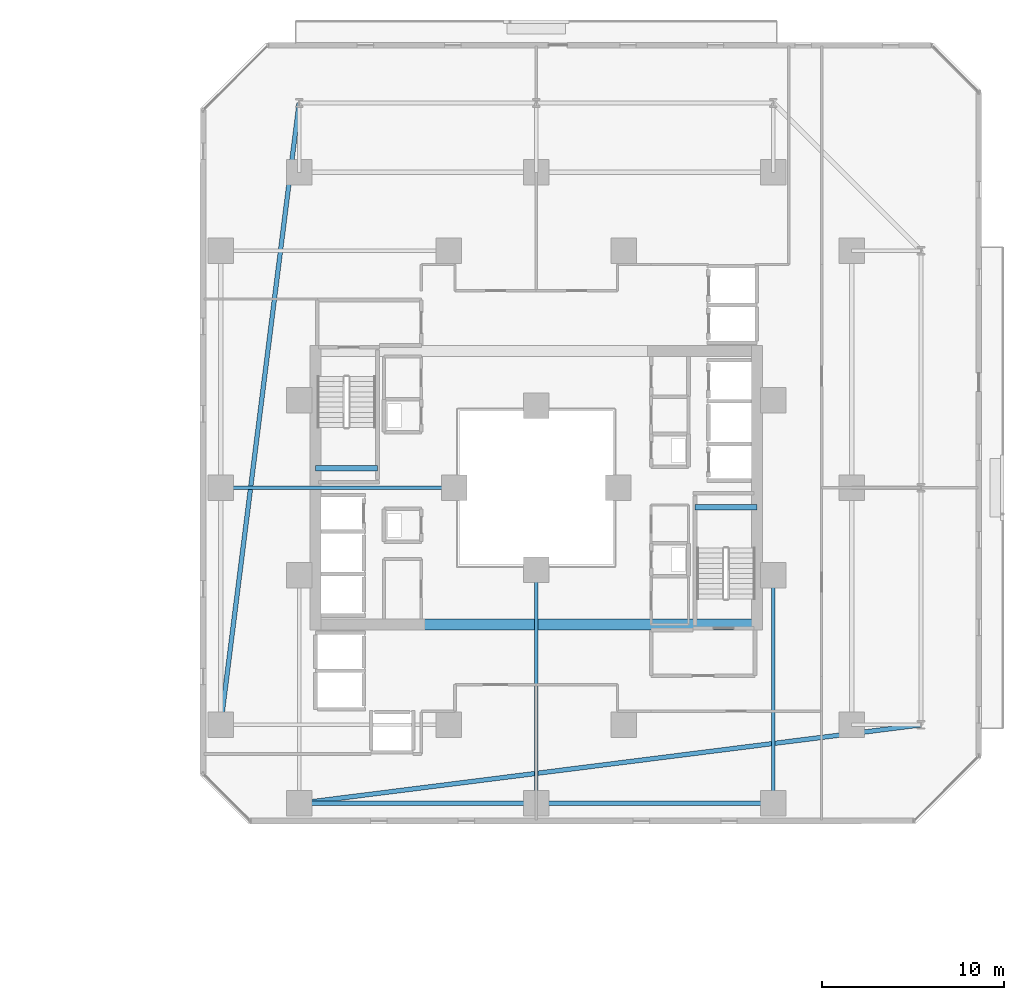
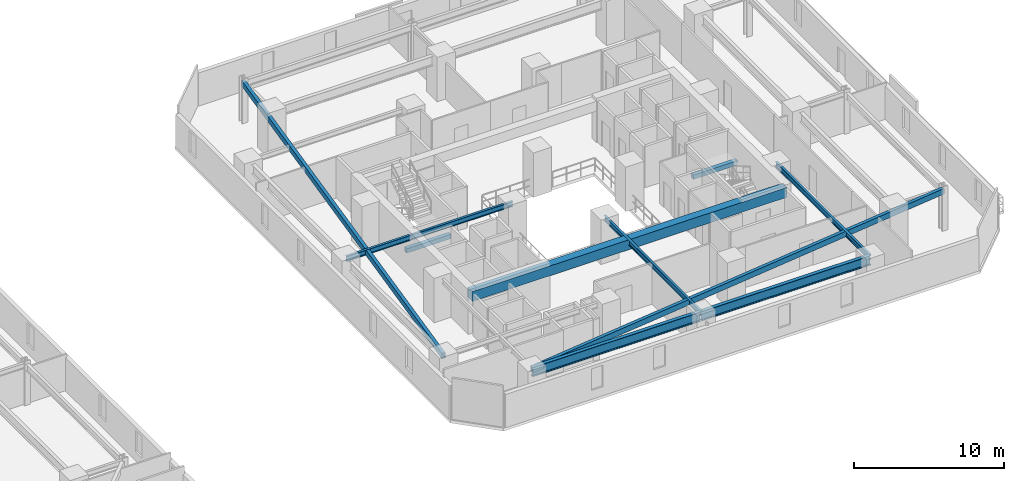
# One storey, part 13 of 34: 10 beams.
"""IFC4 building model written with IfcOpenShell, lengths in metres."""

from ifc_helpers import new_model, si_unit, direction, frame, origin, origin_2d, place, context, subcontext, project, spatial, rectangle, hollow_rectangle, i_section, extrude, material, material_profile, profile_set, type_object, element, save


model = new_model("IFC4")

# Units and contexts
model_context = context("Model", 3, precision=1e-05, world=origin(), true_north=direction((0.0, 1.0)))
body_context = subcontext(model_context, "Body", "Model", "MODEL_VIEW")
ifc_project = project(units=[si_unit("LENGTHUNIT", "METRE"), si_unit("AREAUNIT", "SQUARE_METRE"), si_unit("VOLUMEUNIT", "CUBIC_METRE"), si_unit("PLANEANGLEUNIT", "RADIAN"), si_unit("MASSUNIT", "GRAM", prefix="KILO")], contexts=[model_context])

# Site, building, storey
site_placement = place(None, origin())
site = spatial("IfcSite", under=ifc_project, at=site_placement, CompositionType="ELEMENT")
building_placement = place(site_placement, origin())
building = spatial("IfcBuilding", under=site, at=building_placement, Name="Thornwick Lancets Civic Towers", CompositionType="ELEMENT")
storey_placement = place(building_placement, frame((0.0, 0.0, 57.300048828125)))
storey = spatial("IfcBuildingStorey", under=building, at=storey_placement, Name="L14", CompositionType="ELEMENT", Elevation=57.300048828125)

# Beams
ifc_material_1 = material(Name="Concrete C60/75", Category="concrete")
ifc_material_profile_1 = material_profile(ifc_material_1, rectangle(XDim=0.60009765625, YDim=0.800048828125, at=origin_2d()), Name="RC 600x800")
ifc_profile_set_1 = profile_set([ifc_material_profile_1], Name="Concrete C60/75")
beam_type_1 = type_object("IfcBeamType", Name="BM_COUP_RC800", PredefinedType="BEAM", material=ifc_profile_set_1)
beam_1_placement = place(storey_placement, frame((76.39990234375, 19.5, 2.9599609375), z_axis=(1.0, 0.0, 0.0), x_axis=(0.0, 1.0, 0.0)))
element("IfcBeam", 1, at=beam_1_placement, inside=storey, type_object=beam_type_1, Name="CB-L14-B2", PredefinedType="BEAM", context=body_context, shape_type="SweptSolid", body=[
    extrude(rectangle(XDim=0.60009765625, YDim=0.800048828125, at=origin_2d()), origin(), (0.0, 0.0, 1.0), 24.2001953125),
])
ifc_material_2 = material(Name="Steel S355JR", Category="steel")
ifc_material_profile_2 = material_profile(ifc_material_2, i_section(OverallWidth=0.26806640625, OverallDepth=0.769775390625, WebThickness=0.015625, FlangeThickness=0.025390625, FilletRadius=0.0166015625, at=origin_2d()), Name="UKB 762x267x197")
ifc_profile_set_2 = profile_set([ifc_material_profile_2], Name="Steel S355JR")
beam_type_2 = type_object("IfcBeamType", Name="BM_GIRD_762_197", PredefinedType="BEAM", material=ifc_profile_set_2)
beam_2_placement = place(storey_placement, frame((101.5, 9.699951171875, 2.97509765625), z_axis=(-1.0, 0.0, 0.0), x_axis=(0.0, -1.0, 0.0)))
element("IfcBeam", 2, at=beam_2_placement, inside=storey, type_object=beam_type_2, Name="BM-SPINE-L14-B-9-10", PredefinedType="BEAM", context=body_context, shape_type="SweptSolid", body=[
    extrude(i_section(OverallWidth=0.26806640625, OverallDepth=0.769775390625, WebThickness=0.015625, FlangeThickness=0.025390625, FilletRadius=0.0166015625, at=origin_2d()), origin(), (0.0, 0.0, 1.0), 13.0),
])
beam_3_placement = place(storey_placement, frame((88.419921875, 9.699951171875, 2.97509765625), z_axis=(-1.0, 0.0, 0.0), x_axis=(0.0, -1.0, 0.0)))
element("IfcBeam", 3, at=beam_3_placement, inside=storey, type_object=beam_type_2, Name="BM-SPINE-L14-B-10-11", PredefinedType="BEAM", context=body_context, shape_type="SweptSolid", body=[
    extrude(i_section(OverallWidth=0.26806640625, OverallDepth=0.769775390625, WebThickness=0.015625, FlangeThickness=0.025390625, FilletRadius=0.0166015625, at=origin_2d()), origin(), (0.0, 0.0, 1.0), 12.919921875),
])
ifc_material_profile_3 = material_profile(ifc_material_2, i_section(OverallWidth=0.179443359375, OverallDepth=0.412841796875, WebThickness=0.009521484375, FlangeThickness=0.01611328125, FilletRadius=0.01025390625, at=origin_2d()), Name="UKB 406x178x74")
ifc_profile_set_3 = profile_set([ifc_material_profile_3], Name="Steel S355JR")
beam_type_3 = type_object("IfcBeamType", Name="BM_JOIST_406_74", PredefinedType="JOIST", material=ifc_profile_set_3)
beam_4_placement = place(storey_placement, frame((84.0, 27.0, 3.153564453125), z_axis=(-1.0, 0.0, 0.0), x_axis=(0.0, -1.0, 0.0)))
element("IfcBeam", 4, at=beam_4_placement, inside=storey, type_object=beam_type_3, Name="BM-RADIN-L14-B08", PredefinedType="JOIST", context=body_context, shape_type="SweptSolid", body=[
    extrude(i_section(OverallWidth=0.179443359375, OverallDepth=0.412841796875, WebThickness=0.009521484375, FlangeThickness=0.01611328125, FilletRadius=0.01025390625, at=origin_2d()), origin(), (0.0, 0.0, 1.0), 12.800048828125),
])
beam_5_placement = place(storey_placement, frame((101.5, 22.199951171875, 3.153564453125), z_axis=(0.0, -1.0, 0.0), x_axis=(1.0, 0.0, 0.0)))
element("IfcBeam", 5, at=beam_5_placement, inside=storey, type_object=beam_type_3, Name="BM-RADIN-L14-B10", PredefinedType="JOIST", context=body_context, shape_type="SweptSolid", body=[
    extrude(i_section(OverallWidth=0.179443359375, OverallDepth=0.412841796875, WebThickness=0.009521484375, FlangeThickness=0.01611328125, FilletRadius=0.01025390625, at=origin_2d()), origin(), (0.0, 0.0, 1.0), 12.5),
])
beam_6_placement = place(storey_placement, frame((88.5, 22.5, 3.153564453125), z_axis=(0.0, -1.0, 0.0), x_axis=(1.0, 0.0, 0.0)))
element("IfcBeam", 6, at=beam_6_placement, inside=storey, type_object=beam_type_3, Name="BM-RADIN-L14-B11", PredefinedType="JOIST", context=body_context, shape_type="SweptSolid", body=[
    extrude(i_section(OverallWidth=0.179443359375, OverallDepth=0.412841796875, WebThickness=0.009521484375, FlangeThickness=0.01611328125, FilletRadius=0.01025390625, at=origin_2d()), origin(), (0.0, 0.0, 1.0), 12.800048828125),
])
ifc_material_profile_4 = material_profile(ifc_material_2, hollow_rectangle(XDim=0.25, YDim=0.449951171875, WallThickness=0.01611328125, at=origin_2d()), Name="RHS 450x250x16")
ifc_profile_set_4 = profile_set([ifc_material_profile_4], Name="Steel S355JR")
beam_type_4 = type_object("IfcBeamType", Name="BM_RING_RHS450", PredefinedType="BEAM", material=ifc_profile_set_4)
for number, where, z_axis, x_axis, name in (
    (7, (75.5, 48.10009765625, 3.135009765625), (-0.12510998836, -0.992142878225, 0.0), (0.992142878225, -0.12510998836, 0.0), "BM-CHAMF-L14-B-C1"),
    (8, (75.5, 9.699951171875, 3.135009765625), (0.992142878225, 0.12510998836, 0.0), (-0.12510998836, 0.992142878225, 0.0), "BM-CHAMF-L14-B-C3"),
):
    element("IfcBeam", number, at=place(storey_placement, frame(where, z_axis=z_axis, x_axis=x_axis)), inside=storey, type_object=beam_type_4, Name=name, PredefinedType="BEAM", context=body_context, shape_type="SweptSolid", body=[
        extrude(hollow_rectangle(XDim=0.25, YDim=0.449951171875, WallThickness=0.01611328125, at=origin_2d()), origin(), (0.0, 0.0, 1.0), 34.3701171875),
    ])
ifc_material_3 = material(Name="Concrete C40/50", Category="concrete")
ifc_material_profile_5 = material_profile(ifc_material_3, rectangle(XDim=0.300048828125, YDim=0.35009765625, at=origin_2d()), Name="RC 300x350")
ifc_profile_set_5 = profile_set([ifc_material_profile_5], Name="Concrete C40/50")
beam_type_5 = type_object("IfcBeamType", Name="BM_STAIR_LDG", PredefinedType="BEAM", material=ifc_profile_set_5)
for number, where, z_axis, x_axis, name in (
    (9, (100.60009765625, 25.93505859375, 1.3779296875), (-1.0, 0.0, 0.0), (0.0, -1.0, 0.0), "L14 ST-B1 Landing Support Beam 1"),
    (10, (76.39990234375, 28.06494140625, 1.3779296875), (1.0, 0.0, 0.0), (0.0, 1.0, 0.0), "L14 ST-B2 Landing Support Beam 1"),
):
    element("IfcBeam", number, at=place(storey_placement, frame(where, z_axis=z_axis, x_axis=x_axis)), inside=storey, type_object=beam_type_5, Name=name, PredefinedType="BEAM", context=body_context, shape_type="SweptSolid", body=[
        extrude(rectangle(XDim=0.300048828125, YDim=0.35009765625, at=origin_2d()), origin(), (0.0, 0.0, 1.0), 3.400146484375),
    ])

save(model, "model.ifc")
